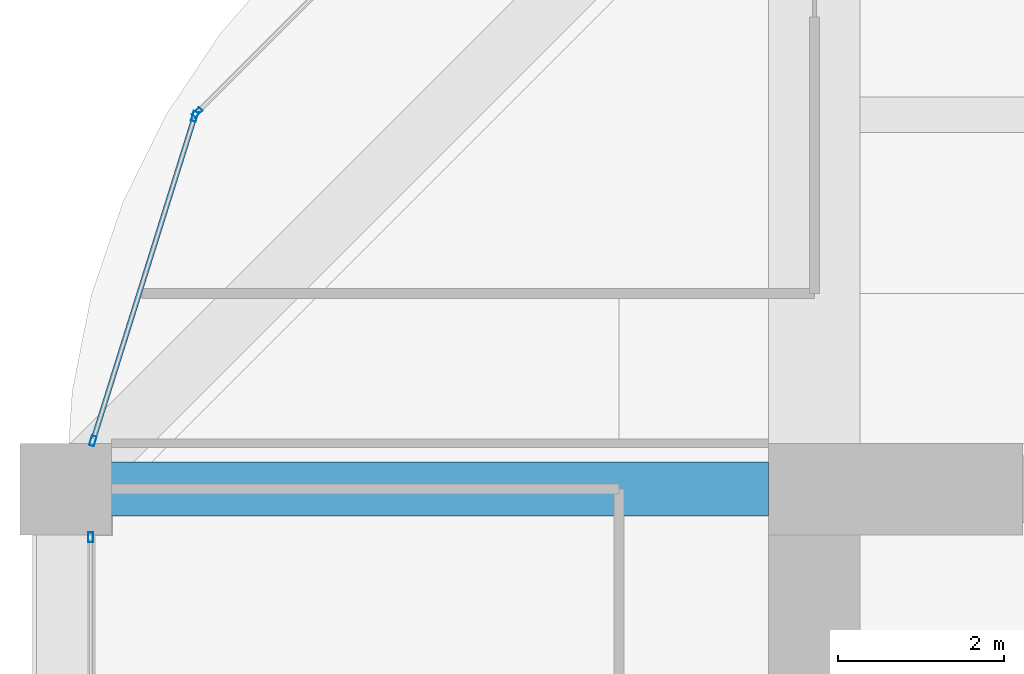
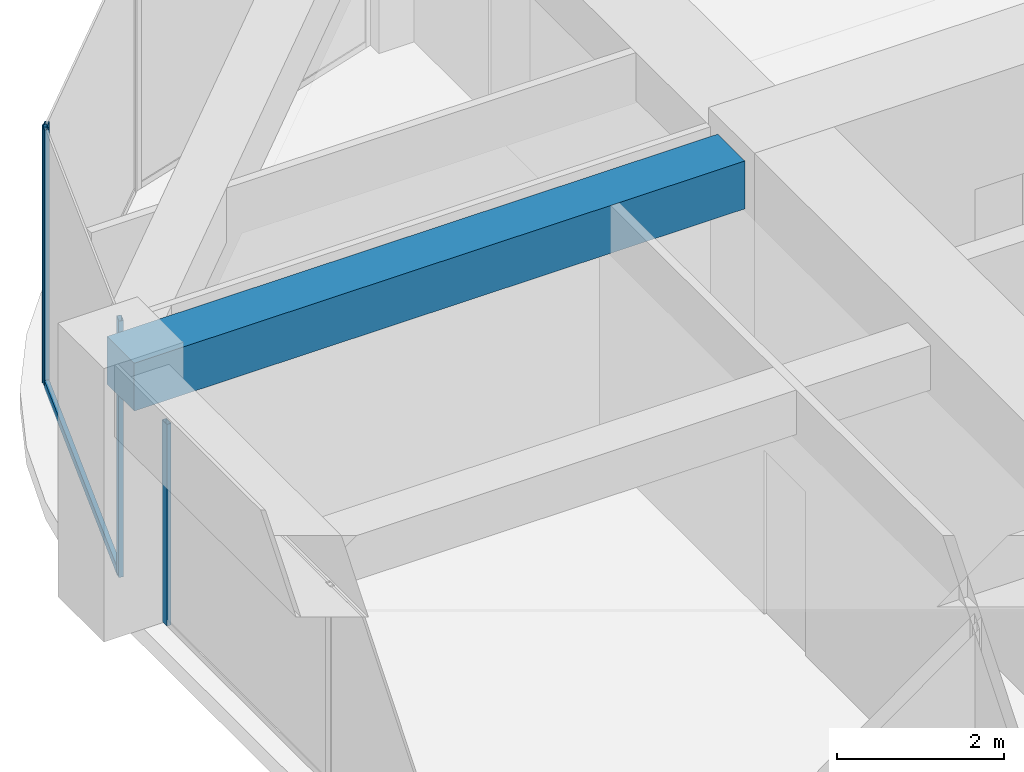
# One storey, part 28 of 45: 5 members, 1 beam, 3 elements without a shape of their own.
"""IFC4 building model written with IfcOpenShell, lengths in metres."""

from ifc_helpers import new_model, si_unit, direction, frame, origin, origin_2d, place, context, subcontext, project, spatial, rectangle, hollow_rectangle, extrude, material, material_profile, profile_set, type_object, element, aggregate, save


model = new_model("IFC4")

# Units and contexts
model_context = context("Model", 3, precision=1e-05, world=origin(), true_north=direction((0.0, 1.0)))
body_context = subcontext(model_context, "Body", "Model", "MODEL_VIEW")
ifc_project = project(units=[si_unit("LENGTHUNIT", "METRE"), si_unit("AREAUNIT", "SQUARE_METRE"), si_unit("VOLUMEUNIT", "CUBIC_METRE"), si_unit("PLANEANGLEUNIT", "RADIAN"), si_unit("MASSUNIT", "GRAM", prefix="KILO")], contexts=[model_context])

# Site, building, storey
site_placement = place(None, origin())
site = spatial("IfcSite", under=ifc_project, at=site_placement, CompositionType="ELEMENT")
building_placement = place(site_placement, origin())
building = spatial("IfcBuilding", under=site, at=building_placement, Name="Zorevar Civic Tower", CompositionType="ELEMENT")
storey_placement = place(building_placement, frame((0.0, 0.0, 303.39990234375)))
storey = spatial("IfcBuildingStorey", under=building, at=storey_placement, Name="L74", CompositionType="ELEMENT", Elevation=303.39990234375)

# Beam
ifc_material_1 = material(Name="Concrete C50/60", Category="concrete")
ifc_material_profile_1 = material_profile(ifc_material_1, rectangle(XDim=0.64990234375, YDim=0.699951171875, at=origin_2d()), Name="RC 650x700")
ifc_profile_set_1 = profile_set([ifc_material_profile_1], Name="Concrete C50/60")
beam_type = type_object("IfcBeamType", Name="Beam RC 650x700", PredefinedType="BEAM", material=ifc_profile_set_1)
beam_placement = place(storey_placement, frame((9.0, 36.0, 3.400146484375), z_axis=(1.0, 0.0, 0.0), x_axis=(0.0, 1.0, 0.0)))
element("IfcBeam", 1, at=beam_placement, inside=storey, type_object=beam_type, Name="Girder L75", PredefinedType="BEAM", context=body_context, shape_type="SweptSolid", body=[
    extrude(rectangle(XDim=0.64990234375, YDim=0.699951171875, at=origin_2d()), origin(), (0.0, 0.0, 1.0), 8.449951171875),
])

# Curtain wall, member
ifc_material_2 = material(Name="Dark grey solar-control glass in black aluminium frame", Category="aluminium")
curtain_wall_type = type_object("IfcCurtainWallType", Name="Curtain wall CW5 top zone", PredefinedType="NOTDEFINED", material=ifc_material_2)
curtain_wall_1_placement = place(storey_placement, origin())
curtain_wall_1 = element("IfcCurtainWall", 2, at=curtain_wall_1_placement, inside=storey, type_object=curtain_wall_type, Name="CW5 L74", PredefinedType="NOTDEFINED")
ifc_material_3 = material(Name="Aluminium, black anodised", Category="aluminium")
ifc_material_profile_2 = material_profile(ifc_material_3, hollow_rectangle(XDim=0.06005859375, YDim=0.1201171875, WallThickness=0.0029296875, at=origin_2d()), Name="AL 120x60x3")
ifc_profile_set_2 = profile_set([ifc_material_profile_2], Name="Aluminium, black anodised")
member_type_1 = type_object("IfcMemberType", Name="CW5 mullion AL 120x60x3", PredefinedType="MULLION", material=ifc_profile_set_2)
member_1_placement = place(storey_placement, frame((9.300048828125, 35.419921875, 0.0), z_axis=(0.0, 0.0, 1.0), x_axis=(-1.0, 0.0, 0.0)))
member_1 = element("IfcMember", 3, at=member_1_placement, type_object=member_type_1, Name="CW5 mullion 3", PredefinedType="MULLION", context=body_context, shape_type="SweptSolid", body=[
    extrude(hollow_rectangle(XDim=0.06005859375, YDim=0.1201171875, WallThickness=0.0029296875, at=origin_2d()), origin(), (0.0, 0.0, 1.0), 2.9501953125),
])
aggregate(curtain_wall_1, [member_1])

curtain_wall_2_placement = place(storey_placement, origin())
curtain_wall_2 = element("IfcCurtainWall", 4, at=curtain_wall_2_placement, inside=storey, type_object=curtain_wall_type, Name="CW5 L74", PredefinedType="NOTDEFINED")
member_2_placement = place(storey_placement, frame((10.580322265625, 40.529052734375, 0.0), z_axis=(0.0, 0.0, 1.0), x_axis=(0.707106781187, -0.707106781187, 0.0)))
member_2 = element("IfcMember", 5, at=member_2_placement, type_object=member_type_1, Name="CW5 mullion 2", PredefinedType="MULLION", context=body_context, shape_type="SweptSolid", body=[
    extrude(hollow_rectangle(XDim=0.06005859375, YDim=0.1201171875, WallThickness=0.0029296875, at=origin_2d()), origin(), (0.0, 0.0, 1.0), 3.75),
])
aggregate(curtain_wall_2, [member_2])

# Curtain wall, members
curtain_wall_3_placement = place(storey_placement, origin())
curtain_wall_3 = element("IfcCurtainWall", 6, at=curtain_wall_3_placement, inside=storey, type_object=curtain_wall_type, Name="CW5 L74", PredefinedType="NOTDEFINED")
member_3_placement = place(storey_placement, frame((10.550048828125, 40.479248046875, 0.0), z_axis=(0.0, 0.0, 1.0), x_axis=(0.954153437674, -0.299317920238, 0.0)))
member_3 = element("IfcMember", 7, at=member_3_placement, type_object=member_type_1, Name="CW5 mullion 1", PredefinedType="MULLION", context=body_context, shape_type="SweptSolid", body=[
    extrude(hollow_rectangle(XDim=0.06005859375, YDim=0.1201171875, WallThickness=0.0029296875, at=origin_2d()), origin(), (0.0, 0.0, 1.0), 3.75),
])
member_4_placement = place(storey_placement, frame((9.326416015625, 36.57861328125, 0.0), z_axis=(0.0, 0.0, 1.0), x_axis=(0.954153437674, -0.299317920238, 0.0)))
member_4 = element("IfcMember", 8, at=member_4_placement, type_object=member_type_1, Name="CW5 mullion 2", PredefinedType="MULLION", context=body_context, shape_type="SweptSolid", body=[
    extrude(hollow_rectangle(XDim=0.06005859375, YDim=0.1201171875, WallThickness=0.0029296875, at=origin_2d()), origin(), (0.0, 0.0, 1.0), 3.75),
])
ifc_material_4 = material(Name="Aluminium, black anodised", Category="aluminium")
ifc_material_profile_3 = material_profile(ifc_material_4, hollow_rectangle(XDim=0.06005859375, YDim=0.1201171875, WallThickness=0.0029296875, at=origin_2d()), Name="AL 120x60x3")
ifc_profile_set_3 = profile_set([ifc_material_profile_3], Name="Aluminium, black anodised")
member_type_2 = type_object("IfcMemberType", Name="CW5 transom AL 120x60x3", PredefinedType="USERDEFINED", material=ifc_profile_set_3)
member_5_placement = place(storey_placement, frame((10.541015625, 40.45068359375, 0.030029296875), z_axis=(-0.299285978047, -0.954163457351, 0.0), x_axis=(0.954163457351, -0.299285978047, 0.0)))
member_5 = element("IfcMember", 9, at=member_5_placement, type_object=member_type_2, Name="CW5 sill transom", ObjectType="TRANSOM", PredefinedType="USERDEFINED", context=body_context, shape_type="SweptSolid", body=[
    extrude(hollow_rectangle(XDim=0.06005859375, YDim=0.1201171875, WallThickness=0.0029296875, at=origin_2d()), origin(), (0.0, 0.0, 1.0), 4.028076171875),
])
aggregate(curtain_wall_3, [member_3, member_4, member_5])

save(model, "model.ifc")
